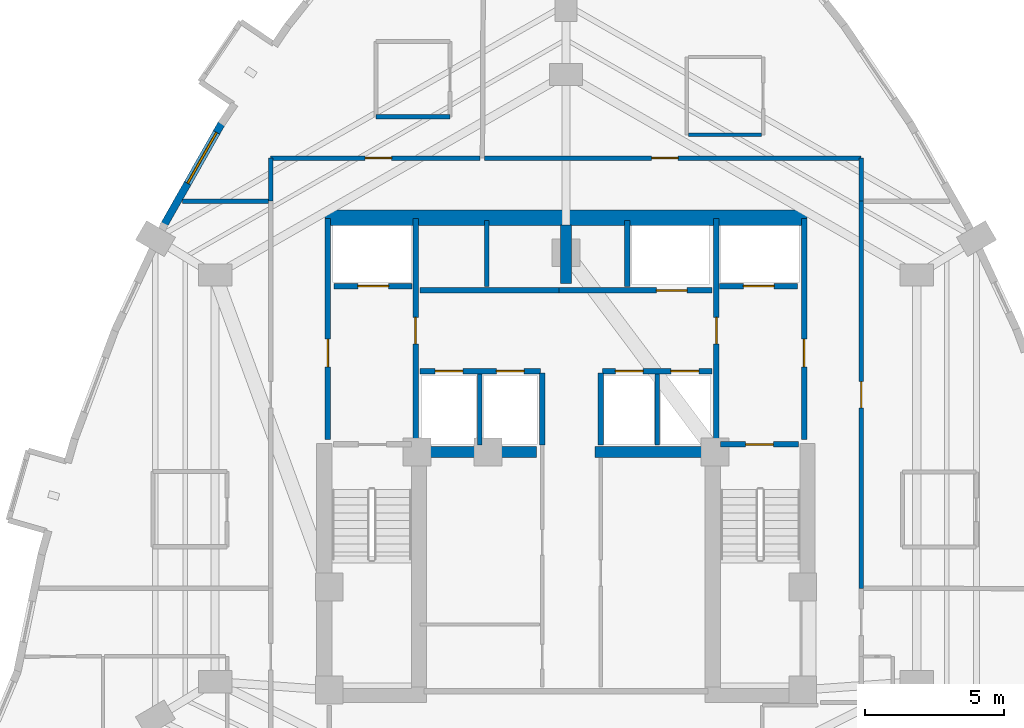
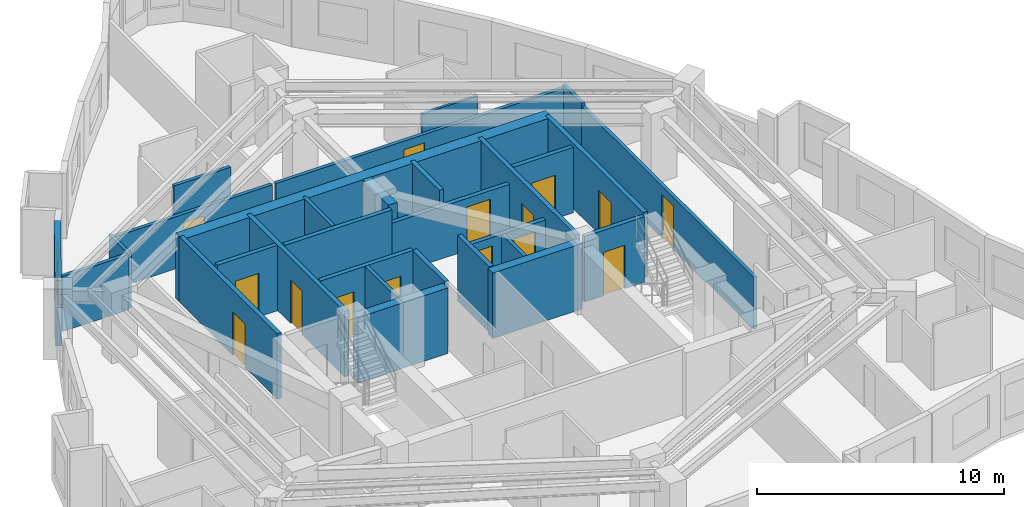
# One storey, part 5 of 9: 30 walls, 15 doors, 1 window, 16 openings.
"""IFC4 building model written with IfcOpenShell, lengths in metres."""

from ifc_helpers import new_model, si_unit, direction, frame, frame_2d, origin, place, context, subcontext, project, spatial, rectangle, extrude, material, layer, layer_set, type_object, element, fill, save


model = new_model("IFC4")

# Units and contexts
model_context = context("Model", 3, precision=1e-05, world=origin(), true_north=direction((0.0, 1.0)))
body_context = subcontext(model_context, "Body", "Model", "MODEL_VIEW")
ifc_project = project(units=[si_unit("LENGTHUNIT", "METRE"), si_unit("AREAUNIT", "SQUARE_METRE"), si_unit("VOLUMEUNIT", "CUBIC_METRE"), si_unit("PLANEANGLEUNIT", "RADIAN"), si_unit("MASSUNIT", "GRAM", prefix="KILO")], contexts=[model_context])

# Site, building, storey
site_placement = place(None, origin())
site = spatial("IfcSite", under=ifc_project, at=site_placement, CompositionType="ELEMENT")
building_placement = place(site_placement, origin())
building = spatial("IfcBuilding", under=site, at=building_placement, Name="Miruveldt Soraemaru", CompositionType="ELEMENT")
storey_placement = place(building_placement, frame((0.0, 0.0, 170.39990234375)))
storey = spatial("IfcBuildingStorey", under=building, at=storey_placement, Name="L47", CompositionType="ELEMENT", Elevation=170.39990234375)

# Walls
ifc_material_1 = material(Name="Concrete C70/85 (70 MPa)", Category="concrete")
ifc_layer_1 = layer(ifc_material_1, 0.5, Name="Concrete C70/85 (70 MPa)", Category="concrete")
ifc_layer_set_1 = layer_set([ifc_layer_1], Name="Concrete C70/85 (70 MPa)")
wall_type_1 = type_object("IfcWallType", Name="WALL-BW-500", PredefinedType="SHEAR", material=ifc_layer_set_1)
wall_1_placement = place(storey_placement, frame((44.0, 50.10009765625, 0.0), z_axis=(0.0, 0.0, 1.0), x_axis=(0.0, 1.0, 0.0)))
element("IfcWall", 1, at=wall_1_placement, inside=storey, type_object=wall_type_1, Name="L47 Core Buttress Shear Wall BN", PredefinedType="SHEAR", context=body_context, shape_type="SweptSolid", body=[
    extrude(rectangle(XDim=2.099853515625, YDim=0.39990234375, at=frame_2d((1.0498046875, 0.0))), origin(), (0.0, 0.0, 1.0), 3.235107421875),
])
for number, where, z_axis, x_axis, name in (
    (2, (38.75, 44.050048828125, 0.0), (0.0, 0.0, 1.0), (1.0, 0.0, 0.0), "L47 Core Buttress Shear Wall BW"),
    (3, (45.050048828125, 44.050048828125, 0.0), (0.0, 0.0, 1.0), (1.0, 0.0, 0.0), "L47 Core Buttress Shear Wall BE"),
):
    element("IfcWall", number, at=place(storey_placement, frame(where, z_axis=z_axis, x_axis=x_axis)), inside=storey, type_object=wall_type_1, Name=name, PredefinedType="SHEAR", context=body_context, shape_type="SweptSolid", body=[
        extrude(rectangle(XDim=4.199951171875, YDim=0.39990234375, at=frame_2d((2.10009765625, 0.0))), origin(), (0.0, 0.0, 1.0), 3.235107421875),
    ])
ifc_layer_2 = layer(ifc_material_1, 0.550048828125, Name="Concrete C70/85 (70 MPa)", Category="concrete")
ifc_layer_set_2 = layer_set([ifc_layer_2], Name="Concrete C70/85 (70 MPa)")
wall_type_2 = type_object("IfcWallType", Name="WALL-CW-550", PredefinedType="SHEAR", material=ifc_layer_set_2)
wall_2_placement = place(storey_placement, frame((35.35009765625, 52.449951171875, 0.0), z_axis=(0.0, 0.0, 1.0), x_axis=(1.0, 0.0, 0.0)))
element("IfcWall", 4, at=wall_2_placement, inside=storey, type_object=wall_type_2, Name="L47 Central Core Shear Wall N", PredefinedType="SHEAR", context=body_context, shape_type="SweptSolid", body=[
    extrude(rectangle(XDim=17.2998046875, YDim=0.550048828125, at=frame_2d((8.64990234375, 0.0))), origin(), (0.0, 0.0, 1.0), 3.235107421875),
])

# Wall, opening, window
ifc_material_2 = material(Name="Precast concrete C45/55 (45 MPa)", Category="concrete")
ifc_layer_3 = layer(ifc_material_2, 0.27001953125, Name="Precast concrete C45/55 (45 MPa)", Category="concrete")
ifc_layer_set_3 = layer_set([ifc_layer_3], Name="Precast concrete C45/55 (45 MPa)")
wall_type_3 = type_object("IfcWallType", Name="WALL-EXT-PC270", PredefinedType="SOLIDWALL", material=ifc_layer_set_3)
wall_3_placement = place(storey_placement, frame((31.657470703125, 55.87841796875, 0.0), z_axis=(0.0, 0.0, 1.0), x_axis=(-0.493382289932, -0.869812575203, 0.0)))
wall_3 = element("IfcWall", 5, at=wall_3_placement, inside=storey, type_object=wall_type_3, Name="L47 Precast Concrete Facade Wall 10", PredefinedType="SOLIDWALL", context=body_context, shape_type="SweptSolid", body=[
    extrude(rectangle(XDim=4.248046875, YDim=0.27001953125, at=frame_2d((2.1240234375, 0.0))), origin(), (0.0, 0.0, 1.0), 3.235107421875),
])
opening_1_placement = place(wall_3_placement, frame((0.4130859375, 0.0, 0.800048828125)))
opening_1 = element("IfcOpeningElement", 6, at=opening_1_placement, cuts=wall_3, Name="Opening WN-1", PredefinedType="OPENING", context=body_context, shape_type="SweptSolid", body=[
    extrude(rectangle(XDim=2.10009765625, YDim=1.699951171875, at=frame_2d((1.050048828125, 0.85009765625))), frame((0.0, 0.14501953125, 0.0), z_axis=(0.0, -1.0, 0.0), x_axis=(1.0, 0.0, 0.0)), (0.0, 0.0, 1.0), 0.2900390625),
])
ifc_material_3 = material(Name="Triple low-e insulated glazing", Category="glass")
window_type = type_object("IfcWindowType", Name="WIN-PUNCH-2100x1700", PartitioningType="SINGLE_PANEL", PredefinedType="WINDOW", material=ifc_material_3)
window_placement = place(opening_1_placement, origin())
window = element("IfcWindow", 7, at=window_placement, inside=storey, type_object=window_type, Name="L47 Punched Triple-Glazed Window 10.1", OverallHeight=1.699951171875, OverallWidth=2.10009765625, PartitioningType="SINGLE_PANEL", PredefinedType="WINDOW", context=body_context, shape_type="SweptSolid", body=[
    extrude(rectangle(XDim=2.10009765625, YDim=1.699951171875, at=frame_2d((1.050048828125, 0.85009765625))), frame((0.0, 0.030029296875, 0.0), z_axis=(0.0, -1.0, 0.0), x_axis=(1.0, 0.0, 0.0)), (0.0, 0.0, 1.0), 0.06005859375),
])
fill(opening_1, window)

# Walls
ifc_material_4 = material(Name="Gypsum plasterboard lining", Category="gypsum")
ifc_layer_4 = layer(ifc_material_4, 0.1201171875, Name="Gypsum plasterboard lining", Category="gypsum")
ifc_layer_set_4 = layer_set([ifc_layer_4], Name="Gypsum plasterboard lining")
wall_type_4 = type_object("IfcWallType", Name="WALL-INT-P120", PredefinedType="PARTITIONING", material=ifc_layer_set_4)
wall_4_placement = place(storey_placement, frame((48.39111328125, 55.429931640625, 0.0), z_axis=(0.0, 0.0, 1.0), x_axis=(1.0, 0.0, 0.0)))
element("IfcWall", 8, at=wall_4_placement, inside=storey, type_object=wall_type_4, Name="L47 Partition Wall 24", PredefinedType="PARTITIONING", context=body_context, shape_type="SweptSolid", body=[
    extrude(rectangle(XDim=2.6298828125, YDim=0.1201171875, at=frame_2d((1.31494140625, 0.0))), origin(), (0.0, 0.0, 1.0), 2.923095703125),
])
ifc_layer_5 = layer(ifc_material_4, 0.14990234375, Name="Gypsum plasterboard lining", Category="gypsum")
ifc_layer_set_5 = layer_set([ifc_layer_5], Name="Gypsum plasterboard lining")
wall_type_5 = type_object("IfcWallType", Name="WALL-INT-PLUMB", PredefinedType="PLUMBINGWALL", material=ifc_layer_set_5)
wall_5_placement = place(storey_placement, frame((37.18408203125, 56.080078125, 0.0), z_axis=(0.0, 0.0, 1.0), x_axis=(1.0, 0.0, 0.0)))
element("IfcWall", 9, at=wall_5_placement, inside=storey, type_object=wall_type_5, Name="L47 Partition Wall 14", PredefinedType="PLUMBINGWALL", context=body_context, shape_type="SweptSolid", body=[
    extrude(rectangle(XDim=2.64990234375, YDim=0.14990234375, at=frame_2d((1.324951171875, 0.0))), origin(), (0.0, 0.0, 1.0), 2.923095703125),
])

# Wall, opening, door
ifc_material_5 = material(Name="Concrete C40/50 (40 MPa)", Category="concrete")
ifc_layer_6 = layer(ifc_material_5, 0.159912109375, Name="Concrete C40/50 (40 MPa)", Category="concrete")
ifc_layer_set_6 = layer_set([ifc_layer_6], Name="Concrete C40/50 (40 MPa)")
wall_type_6 = type_object("IfcWallType", Name="WALL-INT-RC160", PredefinedType="SOLIDWALL", material=ifc_layer_set_6)
wall_6_placement = place(storey_placement, frame((54.60009765625, 39.15087890625, 0.0), z_axis=(0.0, 0.0, 1.0), x_axis=(0.0, 1.0, 0.0)))
wall_6 = element("IfcWall", 10, at=wall_6_placement, inside=storey, type_object=wall_type_6, Name="L47 Partition Wall 12", PredefinedType="SOLIDWALL", context=body_context, shape_type="SweptSolid", body=[
    extrude(rectangle(XDim=13.899169921875, YDim=0.159912109375, at=frame_2d((6.94970703125, 0.0))), origin(), (0.0, 0.0, 1.0), 2.572998046875),
])
opening_2_placement = place(wall_6_placement, frame((6.47412109375, 0.0, 0.0)))
opening_2 = element("IfcOpeningElement", 11, at=opening_2_placement, cuts=wall_6, Name="Opening FD2", PredefinedType="OPENING", context=body_context, shape_type="SweptSolid", body=[
    extrude(rectangle(XDim=0.949951171875, YDim=2.14990234375, at=frame_2d((0.47509765625, 1.074951171875))), frame((0.0, 0.08984375, 0.0), z_axis=(0.0, -1.0, 0.0), x_axis=(1.0, 0.0, 0.0)), (0.0, 0.0, 1.0), 0.179931640625),
])
ifc_material_6 = material(Name="Anodised aluminium EN AW-6063 T6", Category="aluminium")
door_type_1 = type_object("IfcDoorType", Name="DOOR-FD2-950", OperationType="NOTDEFINED", PredefinedType="DOOR", material=ifc_material_6)
door_1_placement = place(opening_2_placement, origin())
door_1 = element("IfcDoor", 12, at=door_1_placement, inside=storey, type_object=door_type_1, Name="L47 Unit CL06 Entrance Fire Door", OperationType="SINGLE_SWING_RIGHT", OverallHeight=2.14990234375, OverallWidth=0.949951171875, PredefinedType="DOOR", context=body_context, shape_type="SweptSolid", body=[
    extrude(rectangle(XDim=0.949951171875, YDim=2.14990234375, at=frame_2d((0.47509765625, 1.074951171875))), frame((0.0, 0.02490234375, 0.0), z_axis=(0.0, -1.0, 0.0), x_axis=(1.0, 0.0, 0.0)), (0.0, 0.0, 1.0), 0.050048828125),
])
fill(opening_2, door_1)

wall_7_placement = place(storey_placement, frame((54.60009765625, 54.60009765625, 0.0), z_axis=(0.0, 0.0, 1.0), x_axis=(-1.0, 0.0, 0.0)))
wall_7 = element("IfcWall", 13, at=wall_7_placement, inside=storey, type_object=wall_type_6, Name="L47 Partition Wall 4", PredefinedType="SOLIDWALL", context=body_context, shape_type="SweptSolid", body=[
    extrude(rectangle(XDim=13.51708984375, YDim=0.159912109375, at=frame_2d((6.758544921875, 0.0))), origin(), (0.0, 0.0, 1.0), 2.572998046875),
])
opening_3_placement = place(wall_7_placement, frame((6.573974609375, 0.0, 0.0)))
opening_3 = element("IfcOpeningElement", 14, at=opening_3_placement, cuts=wall_7, Name="Opening FD2", PredefinedType="OPENING", context=body_context, shape_type="SweptSolid", body=[
    extrude(rectangle(XDim=0.949951171875, YDim=2.14990234375, at=frame_2d((0.47509765625, 1.074951171875))), frame((0.0, 0.08984375, 0.0), z_axis=(0.0, -1.0, 0.0), x_axis=(1.0, 0.0, 0.0)), (0.0, 0.0, 1.0), 0.179931640625),
])
door_2_placement = place(opening_3_placement, origin())
door_2 = element("IfcDoor", 15, at=door_2_placement, inside=storey, type_object=door_type_1, Name="L47 Unit CL02 Entrance Fire Door", OperationType="SINGLE_SWING_RIGHT", OverallHeight=2.14990234375, OverallWidth=0.949951171875, PredefinedType="DOOR", context=body_context, shape_type="SweptSolid", body=[
    extrude(rectangle(XDim=0.949951171875, YDim=2.14990234375, at=frame_2d((0.47509765625, 1.074951171875))), frame((0.0, 0.02490234375, 0.0), z_axis=(0.0, -1.0, 0.0), x_axis=(1.0, 0.0, 0.0)), (0.0, 0.0, 1.0), 0.050048828125),
])
fill(opening_3, door_2)

wall_8_placement = place(storey_placement, frame((40.9169921875, 54.60009765625, 0.0), z_axis=(0.0, 0.0, 1.0), x_axis=(-1.0, 0.0, 0.0)))
wall_8 = element("IfcWall", 16, at=wall_8_placement, inside=storey, type_object=wall_type_6, Name="L47 Partition Wall 1", PredefinedType="SOLIDWALL", context=body_context, shape_type="SweptSolid", body=[
    extrude(rectangle(XDim=7.51708984375, YDim=0.159912109375, at=frame_2d((3.758544921875, 0.0))), origin(), (0.0, 0.0, 1.0), 2.572998046875),
])
opening_4_placement = place(wall_8_placement, frame((3.174072265625, 0.0, 0.0)))
opening_4 = element("IfcOpeningElement", 17, at=opening_4_placement, cuts=wall_8, Name="Opening FD2", PredefinedType="OPENING", context=body_context, shape_type="SweptSolid", body=[
    extrude(rectangle(XDim=0.949951171875, YDim=2.14990234375, at=frame_2d((0.47509765625, 1.074951171875))), frame((0.0, 0.08984375, 0.0), z_axis=(0.0, -1.0, 0.0), x_axis=(1.0, 0.0, 0.0)), (0.0, 0.0, 1.0), 0.179931640625),
])
door_3_placement = place(opening_4_placement, origin())
door_3 = element("IfcDoor", 18, at=door_3_placement, inside=storey, type_object=door_type_1, Name="L47 Unit CL01 Entrance Fire Door", OperationType="SINGLE_SWING_RIGHT", OverallHeight=2.14990234375, OverallWidth=0.949951171875, PredefinedType="DOOR", context=body_context, shape_type="SweptSolid", body=[
    extrude(rectangle(XDim=0.949951171875, YDim=2.14990234375, at=frame_2d((0.47509765625, 1.074951171875))), frame((0.0, 0.02490234375, 0.0), z_axis=(0.0, -1.0, 0.0), x_axis=(1.0, 0.0, 0.0)), (0.0, 0.0, 1.0), 0.050048828125),
])
fill(opening_4, door_3)

# Walls
wall_9_placement = place(storey_placement, frame((30.22607421875, 53.050048828125, 0.0), z_axis=(0.0, 0.0, 1.0), x_axis=(1.0, 0.0, 0.0)))
element("IfcWall", 19, at=wall_9_placement, inside=storey, type_object=wall_type_6, Name="L47 Partition Wall 16", PredefinedType="SOLIDWALL", context=body_context, shape_type="SweptSolid", body=[
    extrude(rectangle(XDim=3.093994140625, YDim=0.159912109375, at=frame_2d((1.546875, 0.0))), origin(), (0.0, 0.0, 1.0), 2.72314453125),
])
wall_10_placement = place(storey_placement, frame((40.89990234375, 44.300048828125, 0.0), z_axis=(0.0, 0.0, 1.0), x_axis=(0.0, 1.0, 0.0)))
element("IfcWall", 20, at=wall_10_placement, inside=storey, type_object=wall_type_6, Name="L47 Core Compartment Wall PLM-DW", PredefinedType="SOLIDWALL", context=body_context, shape_type="SweptSolid", body=[
    extrude(rectangle(XDim=2.550048828125, YDim=0.159912109375, at=frame_2d((1.27490234375, 0.0))), origin(), (0.0, 0.0, 1.0), 3.235107421875),
])
wall_11_placement = place(storey_placement, frame((47.280029296875, 44.300048828125, 0.0), z_axis=(0.0, 0.0, 1.0), x_axis=(0.0, 1.0, 0.0)))
element("IfcWall", 21, at=wall_11_placement, inside=storey, type_object=wall_type_6, Name="L47 Core Compartment Wall PLM-DE", PredefinedType="SOLIDWALL", context=body_context, shape_type="SweptSolid", body=[
    extrude(rectangle(XDim=2.550048828125, YDim=0.159912109375, at=frame_2d((1.27490234375, 0.0))), origin(), (0.0, 0.0, 1.0), 2.572998046875),
])
wall_12_placement = place(storey_placement, frame((41.14990234375, 49.97998046875, 0.0), z_axis=(0.0, 0.0, 1.0), x_axis=(0.0, 1.0, 0.0)))
element("IfcWall", 22, at=wall_12_placement, inside=storey, type_object=wall_type_6, Name="L47 Core Compartment Wall PLH-DIV1", PredefinedType="SOLIDWALL", context=body_context, shape_type="SweptSolid", body=[
    extrude(rectangle(XDim=2.3701171875, YDim=0.159912109375, at=frame_2d((1.18505859375, 0.0))), origin(), (0.0, 0.0, 1.0), 3.235107421875),
])
for number, where, z_axis, x_axis, name in (
    (23, (33.39990234375, 54.60009765625, 0.0), (0.0, 0.0, 1.0), (0.0, -1.0, 0.0), "L47 Partition Wall 2"),
    (24, (54.60009765625, 53.052978515625, 0.0), (0.0, 0.0, 1.0), (0.0, 1.0, 0.0), "L47 Partition Wall 3"),
):
    element("IfcWall", number, at=place(storey_placement, frame(where, z_axis=z_axis, x_axis=x_axis)), inside=storey, type_object=wall_type_6, Name=name, PredefinedType="SOLIDWALL", context=body_context, shape_type="SweptSolid", body=[
        extrude(rectangle(XDim=1.547119140625, YDim=0.159912109375, at=frame_2d((0.7734375, 0.0))), origin(), (0.0, 0.0, 1.0), 2.72314453125),
    ])

# Wall, opening, door
ifc_layer_7 = layer(ifc_material_5, 0.199951171875, Name="Concrete C40/50 (40 MPa)", Category="concrete")
ifc_layer_set_7 = layer_set([ifc_layer_7], Name="Concrete C40/50 (40 MPa)")
wall_type_7 = type_object("IfcWallType", Name="WALL-INT-RC200", PredefinedType="SOLIDWALL", material=ifc_layer_set_7)
wall_13_placement = place(storey_placement, frame((35.449951171875, 44.5, 0.0), z_axis=(0.0, 0.0, 1.0), x_axis=(0.0, 1.0, 0.0)))
wall_13 = element("IfcWall", 25, at=wall_13_placement, inside=storey, type_object=wall_type_7, Name="L47 Core Compartment Wall FFW-OUT", PredefinedType="SOLIDWALL", context=body_context, shape_type="SweptSolid", body=[
    extrude(rectangle(XDim=7.919921875, YDim=0.199951171875, at=frame_2d((3.9599609375, 0.0))), origin(), (0.0, 0.0, 1.0), 3.235107421875),
])
opening_5_placement = place(wall_13_placement, frame((2.60009765625, 0.0, 0.0)))
opening_5 = element("IfcOpeningElement", 26, at=opening_5_placement, cuts=wall_13, Name="Opening FD1", PredefinedType="OPENING", context=body_context, shape_type="SweptSolid", body=[
    extrude(rectangle(XDim=1.0, YDim=2.14990234375, at=frame_2d((0.5, 1.074951171875))), frame((0.0, 0.10986328125, 0.0), z_axis=(0.0, -1.0, 0.0), x_axis=(1.0, 0.0, 0.0)), (0.0, 0.0, 1.0), 0.219970703125),
])
door_type_2 = type_object("IfcDoorType", Name="DOOR-FD1-1000", OperationType="NOTDEFINED", PredefinedType="DOOR", material=ifc_material_6)
door_4_placement = place(opening_5_placement, origin())
door_4 = element("IfcDoor", 27, at=door_4_placement, inside=storey, type_object=door_type_2, Name="L47 West Firefighting Lobby Exit Door", OperationType="SINGLE_SWING_LEFT", OverallHeight=2.14990234375, OverallWidth=1.0, PredefinedType="DOOR", context=body_context, shape_type="SweptSolid", body=[
    extrude(rectangle(XDim=1.0, YDim=2.14990234375, at=frame_2d((0.5, 1.074951171875))), frame((0.0, 0.02490234375, 0.0), z_axis=(0.0, -1.0, 0.0), x_axis=(1.0, 0.0, 0.0)), (0.0, 0.0, 1.0), 0.050048828125),
])
fill(opening_5, door_4)

wall_14_placement = place(storey_placement, frame((52.550048828125, 44.5, 0.0), z_axis=(0.0, 0.0, 1.0), x_axis=(0.0, 1.0, 0.0)))
wall_14 = element("IfcWall", 28, at=wall_14_placement, inside=storey, type_object=wall_type_7, Name="L47 Core Compartment Wall FFE-OUT", PredefinedType="SOLIDWALL", context=body_context, shape_type="SweptSolid", body=[
    extrude(rectangle(XDim=7.919921875, YDim=0.199951171875, at=frame_2d((3.9599609375, 0.0))), origin(), (0.0, 0.0, 1.0), 3.235107421875),
])
opening_6_placement = place(wall_14_placement, frame((2.60009765625, 0.0, 0.0)))
opening_6 = element("IfcOpeningElement", 29, at=opening_6_placement, cuts=wall_14, Name="Opening FD1", PredefinedType="OPENING", context=body_context, shape_type="SweptSolid", body=[
    extrude(rectangle(XDim=1.0, YDim=2.14990234375, at=frame_2d((0.5, 1.074951171875))), frame((0.0, 0.10986328125, 0.0), z_axis=(0.0, -1.0, 0.0), x_axis=(1.0, 0.0, 0.0)), (0.0, 0.0, 1.0), 0.219970703125),
])
door_5_placement = place(opening_6_placement, frame((1.0, 0.0, 0.0), z_axis=(0.0, 0.0, 1.0), x_axis=(-1.0, 0.0, 0.0)))
door_5 = element("IfcDoor", 30, at=door_5_placement, inside=storey, type_object=door_type_2, Name="L47 East Firefighting Lobby Exit Door", OperationType="SINGLE_SWING_RIGHT", OverallHeight=2.14990234375, OverallWidth=1.0, PredefinedType="DOOR", context=body_context, shape_type="SweptSolid", body=[
    extrude(rectangle(XDim=1.0, YDim=2.14990234375, at=frame_2d((0.5, 1.074951171875))), frame((0.0, 0.02490234375, 0.0), z_axis=(0.0, -1.0, 0.0), x_axis=(1.0, 0.0, 0.0)), (0.0, 0.0, 1.0), 0.050048828125),
])
fill(opening_6, door_5)

wall_15_placement = place(storey_placement, frame((38.60009765625, 44.5, 0.0), z_axis=(0.0, 0.0, 1.0), x_axis=(0.0, 1.0, 0.0)))
wall_15 = element("IfcWall", 31, at=wall_15_placement, inside=storey, type_object=wall_type_7, Name="L47 Core Compartment Wall FFW-IN", PredefinedType="SOLIDWALL", context=body_context, shape_type="SweptSolid", body=[
    extrude(rectangle(XDim=7.919921875, YDim=0.199951171875, at=frame_2d((3.9599609375, 0.0))), origin(), (0.0, 0.0, 1.0), 3.235107421875),
])
opening_7_placement = place(wall_15_placement, frame((3.425048828125, 0.0, 0.0)))
opening_7 = element("IfcOpeningElement", 32, at=opening_7_placement, cuts=wall_15, Name="Opening FD2", PredefinedType="OPENING", context=body_context, shape_type="SweptSolid", body=[
    extrude(rectangle(XDim=0.949951171875, YDim=2.14990234375, at=frame_2d((0.47509765625, 1.074951171875))), frame((0.0, 0.10986328125, 0.0), z_axis=(0.0, -1.0, 0.0), x_axis=(1.0, 0.0, 0.0)), (0.0, 0.0, 1.0), 0.219970703125),
])
door_6_placement = place(opening_7_placement, frame((0.949951171875, 0.0, 0.0), z_axis=(0.0, 0.0, 1.0), x_axis=(-1.0, 0.0, 0.0)))
door_6 = element("IfcDoor", 33, at=door_6_placement, inside=storey, type_object=door_type_1, Name="L47 Lift Lobby to West Fire Lobby Door", OperationType="SINGLE_SWING_RIGHT", OverallHeight=2.14990234375, OverallWidth=0.949951171875, PredefinedType="DOOR", context=body_context, shape_type="SweptSolid", body=[
    extrude(rectangle(XDim=0.949951171875, YDim=2.14990234375, at=frame_2d((0.47509765625, 1.074951171875))), frame((0.0, 0.02490234375, 0.0), z_axis=(0.0, -1.0, 0.0), x_axis=(1.0, 0.0, 0.0)), (0.0, 0.0, 1.0), 0.050048828125),
])
fill(opening_7, door_6)

wall_16_placement = place(storey_placement, frame((49.39990234375, 44.5, 0.0), z_axis=(0.0, 0.0, 1.0), x_axis=(0.0, 1.0, 0.0)))
wall_16 = element("IfcWall", 34, at=wall_16_placement, inside=storey, type_object=wall_type_7, Name="L47 Core Compartment Wall FFE-IN", PredefinedType="SOLIDWALL", context=body_context, shape_type="SweptSolid", body=[
    extrude(rectangle(XDim=7.919921875, YDim=0.199951171875, at=frame_2d((3.9599609375, 0.0))), origin(), (0.0, 0.0, 1.0), 3.235107421875),
])
opening_8_placement = place(wall_16_placement, frame((3.425048828125, 0.0, 0.0)))
opening_8 = element("IfcOpeningElement", 35, at=opening_8_placement, cuts=wall_16, Name="Opening FD2", PredefinedType="OPENING", context=body_context, shape_type="SweptSolid", body=[
    extrude(rectangle(XDim=0.949951171875, YDim=2.14990234375, at=frame_2d((0.47509765625, 1.074951171875))), frame((0.0, 0.10986328125, 0.0), z_axis=(0.0, -1.0, 0.0), x_axis=(1.0, 0.0, 0.0)), (0.0, 0.0, 1.0), 0.219970703125),
])
door_7_placement = place(opening_8_placement, origin())
door_7 = element("IfcDoor", 36, at=door_7_placement, inside=storey, type_object=door_type_1, Name="L47 Lift Lobby to East Fire Lobby Door", OperationType="SINGLE_SWING_LEFT", OverallHeight=2.14990234375, OverallWidth=0.949951171875, PredefinedType="DOOR", context=body_context, shape_type="SweptSolid", body=[
    extrude(rectangle(XDim=0.949951171875, YDim=2.14990234375, at=frame_2d((0.47509765625, 1.074951171875))), frame((0.0, 0.02490234375, 0.0), z_axis=(0.0, -1.0, 0.0), x_axis=(1.0, 0.0, 0.0)), (0.0, 0.0, 1.0), 0.050048828125),
])
fill(opening_8, door_7)

wall_17_placement = place(storey_placement, frame((43.75, 49.85009765625, 0.0), z_axis=(0.0, 0.0, 1.0), x_axis=(1.0, 0.0, 0.0)))
wall_17 = element("IfcWall", 37, at=wall_17_placement, inside=storey, type_object=wall_type_7, Name="L47 Core Compartment Wall ROWA-SE", PredefinedType="SOLIDWALL", context=body_context, shape_type="SweptSolid", body=[
    extrude(rectangle(XDim=5.5, YDim=0.199951171875, at=frame_2d((2.75, 0.0))), origin(), (0.0, 0.0, 1.0), 2.572998046875),
])
opening_9_placement = place(wall_17_placement, frame((3.5, 0.0, 0.0)))
opening_9 = element("IfcOpeningElement", 38, at=opening_9_placement, cuts=wall_17, Name="Opening LD2", PredefinedType="OPENING", context=body_context, shape_type="SweptSolid", body=[
    extrude(rectangle(XDim=1.10009765625, YDim=2.14990234375, at=frame_2d((0.550048828125, 1.074951171875))), frame((0.0, 0.10986328125, 0.0), z_axis=(0.0, -1.0, 0.0), x_axis=(1.0, 0.0, 0.0)), (0.0, 0.0, 1.0), 0.219970703125),
])
door_type_3 = type_object("IfcDoorType", Name="DOOR-LD2-1100", OperationType="SLIDING_TO_LEFT", PredefinedType="DOOR", material=ifc_material_6)
door_8_placement = place(opening_9_placement, origin())
door_8 = element("IfcDoor", 39, at=door_8_placement, inside=storey, type_object=door_type_3, Name="L47 SL-1 Landing Door", OperationType="SLIDING_TO_LEFT", OverallHeight=2.14990234375, OverallWidth=1.10009765625, PredefinedType="DOOR", context=body_context, shape_type="SweptSolid", body=[
    extrude(rectangle(XDim=1.10009765625, YDim=2.14990234375, at=frame_2d((0.550048828125, 1.074951171875))), frame((0.0, 0.02490234375, 0.0), z_axis=(0.0, -1.0, 0.0), x_axis=(1.0, 0.0, 0.0)), (0.0, 0.0, 1.0), 0.050048828125),
])
fill(opening_9, door_8)

# Wall, openings, doors
wall_18_placement = place(storey_placement, frame((38.75, 46.949951171875, 0.0), z_axis=(0.0, 0.0, 1.0), x_axis=(1.0, 0.0, 0.0)))
wall_18 = element("IfcWall", 40, at=wall_18_placement, inside=storey, type_object=wall_type_7, Name="L47 Core Compartment Wall MBW-N", PredefinedType="SOLIDWALL", context=body_context, shape_type="SweptSolid", body=[
    extrude(rectangle(XDim=4.330078125, YDim=0.199951171875, at=frame_2d((2.1650390625, 0.0))), origin(), (0.0, 0.0, 1.0), 3.235107421875),
])
opening_10_placement = place(wall_18_placement, frame((0.550048828125, 0.0, 0.0)))
opening_10 = element("IfcOpeningElement", 41, at=opening_10_placement, cuts=wall_18, Name="Opening LD1B", PredefinedType="OPENING", context=body_context, shape_type="SweptSolid", body=[
    extrude(rectangle(XDim=1.0, YDim=2.14990234375, at=frame_2d((0.5, 1.074951171875))), frame((0.0, 0.10986328125, 0.0), z_axis=(0.0, -1.0, 0.0), x_axis=(1.0, 0.0, 0.0)), (0.0, 0.0, 1.0), 0.219970703125),
])
opening_11_placement = place(wall_18_placement, frame((2.75, 0.0, 0.0)))
opening_11 = element("IfcOpeningElement", 42, at=opening_11_placement, cuts=wall_18, Name="Opening LD1B", PredefinedType="OPENING", context=body_context, shape_type="SweptSolid", body=[
    extrude(rectangle(XDim=1.0, YDim=2.14990234375, at=frame_2d((0.5, 1.074951171875))), frame((0.0, 0.10986328125, 0.0), z_axis=(0.0, -1.0, 0.0), x_axis=(1.0, 0.0, 0.0)), (0.0, 0.0, 1.0), 0.219970703125),
])
door_type_4 = type_object("IfcDoorType", Name="DOOR-LD1-1000", OperationType="SLIDING_TO_LEFT", PredefinedType="DOOR", material=ifc_material_6)
door_9_placement = place(opening_10_placement, origin())
door_9 = element("IfcDoor", 43, at=door_9_placement, inside=storey, type_object=door_type_4, Name="L47 PL-M1 Landing Door", OperationType="SLIDING_TO_LEFT", OverallHeight=2.14990234375, OverallWidth=1.0, PredefinedType="DOOR", context=body_context, shape_type="SweptSolid", body=[
    extrude(rectangle(XDim=1.0, YDim=2.14990234375, at=frame_2d((0.5, 1.074951171875))), frame((0.0, 0.02490234375, 0.0), z_axis=(0.0, -1.0, 0.0), x_axis=(1.0, 0.0, 0.0)), (0.0, 0.0, 1.0), 0.050048828125),
])
fill(opening_10, door_9)
door_10_placement = place(opening_11_placement, origin())
door_10 = element("IfcDoor", 44, at=door_10_placement, inside=storey, type_object=door_type_4, Name="L47 PL-M2 Landing Door", OperationType="SLIDING_TO_LEFT", OverallHeight=2.14990234375, OverallWidth=1.0, PredefinedType="DOOR", context=body_context, shape_type="SweptSolid", body=[
    extrude(rectangle(XDim=1.0, YDim=2.14990234375, at=frame_2d((0.5, 1.074951171875))), frame((0.0, 0.02490234375, 0.0), z_axis=(0.0, -1.0, 0.0), x_axis=(1.0, 0.0, 0.0)), (0.0, 0.0, 1.0), 0.050048828125),
])
fill(opening_11, door_10)

wall_19_placement = place(storey_placement, frame((45.320068359375, 46.949951171875, 0.0), z_axis=(0.0, 0.0, 1.0), x_axis=(1.0, 0.0, 0.0)))
wall_19 = element("IfcWall", 45, at=wall_19_placement, inside=storey, type_object=wall_type_7, Name="L47 Core Compartment Wall MBE-N", PredefinedType="SOLIDWALL", context=body_context, shape_type="SweptSolid", body=[
    extrude(rectangle(XDim=3.929931640625, YDim=0.199951171875, at=frame_2d((1.96484375, 0.0))), origin(), (0.0, 0.0, 1.0), 2.572998046875),
])
opening_12_placement = place(wall_19_placement, frame((0.449951171875, 0.0, 0.0)))
opening_12 = element("IfcOpeningElement", 46, at=opening_12_placement, cuts=wall_19, Name="Opening LD1B", PredefinedType="OPENING", context=body_context, shape_type="SweptSolid", body=[
    extrude(rectangle(XDim=1.0, YDim=2.14990234375, at=frame_2d((0.5, 1.074951171875))), frame((0.0, 0.10986328125, 0.0), z_axis=(0.0, -1.0, 0.0), x_axis=(1.0, 0.0, 0.0)), (0.0, 0.0, 1.0), 0.219970703125),
])
opening_13_placement = place(wall_19_placement, frame((2.449951171875, 0.0, 0.0)))
opening_13 = element("IfcOpeningElement", 47, at=opening_13_placement, cuts=wall_19, Name="Opening LD1B", PredefinedType="OPENING", context=body_context, shape_type="SweptSolid", body=[
    extrude(rectangle(XDim=1.0, YDim=2.14990234375, at=frame_2d((0.5, 1.074951171875))), frame((0.0, 0.10986328125, 0.0), z_axis=(0.0, -1.0, 0.0), x_axis=(1.0, 0.0, 0.0)), (0.0, 0.0, 1.0), 0.219970703125),
])
door_11_placement = place(opening_12_placement, origin())
door_11 = element("IfcDoor", 48, at=door_11_placement, inside=storey, type_object=door_type_4, Name="L47 PL-M3 Landing Door", OperationType="SLIDING_TO_LEFT", OverallHeight=2.14990234375, OverallWidth=1.0, PredefinedType="DOOR", context=body_context, shape_type="SweptSolid", body=[
    extrude(rectangle(XDim=1.0, YDim=2.14990234375, at=frame_2d((0.5, 1.074951171875))), frame((0.0, 0.02490234375, 0.0), z_axis=(0.0, -1.0, 0.0), x_axis=(1.0, 0.0, 0.0)), (0.0, 0.0, 1.0), 0.050048828125),
])
fill(opening_12, door_11)
door_12_placement = place(opening_13_placement, origin())
door_12 = element("IfcDoor", 49, at=door_12_placement, inside=storey, type_object=door_type_4, Name="L47 PL-M4 Landing Door", OperationType="SLIDING_TO_LEFT", OverallHeight=2.14990234375, OverallWidth=1.0, PredefinedType="DOOR", context=body_context, shape_type="SweptSolid", body=[
    extrude(rectangle(XDim=1.0, YDim=2.14990234375, at=frame_2d((0.5, 1.074951171875))), frame((0.0, 0.02490234375, 0.0), z_axis=(0.0, -1.0, 0.0), x_axis=(1.0, 0.0, 0.0)), (0.0, 0.0, 1.0), 0.050048828125),
])
fill(opening_13, door_12)

# Wall, opening, door
wall_20_placement = place(storey_placement, frame((49.550048828125, 44.320068359375, 0.0), z_axis=(0.0, 0.0, 1.0), x_axis=(1.0, 0.0, 0.0)))
wall_20 = element("IfcWall", 50, at=wall_20_placement, inside=storey, type_object=wall_type_7, Name="L47 Core Compartment Wall ST2-N", PredefinedType="SOLIDWALL", context=body_context, shape_type="SweptSolid", body=[
    extrude(rectangle(XDim=2.800048828125, YDim=0.199951171875, at=frame_2d((1.39990234375, 0.0))), origin(), (0.0, 0.0, 1.0), 3.235107421875),
])
opening_14_placement = place(wall_20_placement, frame((0.89990234375, 0.0, 0.0)))
opening_14 = element("IfcOpeningElement", 51, at=opening_14_placement, cuts=wall_20, Name="Opening FD1", PredefinedType="OPENING", context=body_context, shape_type="SweptSolid", body=[
    extrude(rectangle(XDim=1.0, YDim=2.14990234375, at=frame_2d((0.5, 1.074951171875))), frame((0.0, 0.10986328125, 0.0), z_axis=(0.0, -1.0, 0.0), x_axis=(1.0, 0.0, 0.0)), (0.0, 0.0, 1.0), 0.219970703125),
])
door_13_placement = place(opening_14_placement, frame((1.0, 0.0, 0.0), z_axis=(0.0, 0.0, 1.0), x_axis=(-1.0, 0.0, 0.0)))
door_13 = element("IfcDoor", 52, at=door_13_placement, inside=storey, type_object=door_type_2, Name="L47 Stair ST-2 Fire Door", OperationType="SINGLE_SWING_RIGHT", OverallHeight=2.14990234375, OverallWidth=1.0, PredefinedType="DOOR", context=body_context, shape_type="SweptSolid", body=[
    extrude(rectangle(XDim=1.0, YDim=2.14990234375, at=frame_2d((0.5, 1.074951171875))), frame((0.0, 0.02490234375, 0.0), z_axis=(0.0, -1.0, 0.0), x_axis=(1.0, 0.0, 0.0)), (0.0, 0.0, 1.0), 0.050048828125),
])
fill(opening_14, door_13)

wall_21_placement = place(storey_placement, frame((35.679931640625, 50.0, 0.0), z_axis=(0.0, 0.0, 1.0), x_axis=(1.0, 0.0, 0.0)))
wall_21 = element("IfcWall", 53, at=wall_21_placement, inside=storey, type_object=wall_type_7, Name="L47 Core Compartment Wall FFL1-S", PredefinedType="SOLIDWALL", context=body_context, shape_type="SweptSolid", body=[
    extrude(rectangle(XDim=2.800048828125, YDim=0.199951171875, at=frame_2d((1.39990234375, 0.0))), origin(), (0.0, 0.0, 1.0), 3.235107421875),
])
opening_15_placement = place(wall_21_placement, frame((0.85009765625, 0.0, 0.0)))
opening_15 = element("IfcOpeningElement", 54, at=opening_15_placement, cuts=wall_21, Name="Opening LD2", PredefinedType="OPENING", context=body_context, shape_type="SweptSolid", body=[
    extrude(rectangle(XDim=1.10009765625, YDim=2.14990234375, at=frame_2d((0.550048828125, 1.074951171875))), frame((0.0, 0.10986328125, 0.0), z_axis=(0.0, -1.0, 0.0), x_axis=(1.0, 0.0, 0.0)), (0.0, 0.0, 1.0), 0.219970703125),
])
door_14_placement = place(opening_15_placement, origin())
door_14 = element("IfcDoor", 55, at=door_14_placement, inside=storey, type_object=door_type_3, Name="L47 FFL-1 Landing Door", OperationType="SLIDING_TO_LEFT", OverallHeight=2.14990234375, OverallWidth=1.10009765625, PredefinedType="DOOR", context=body_context, shape_type="SweptSolid", body=[
    extrude(rectangle(XDim=1.10009765625, YDim=2.14990234375, at=frame_2d((0.550048828125, 1.074951171875))), frame((0.0, 0.02490234375, 0.0), z_axis=(0.0, -1.0, 0.0), x_axis=(1.0, 0.0, 0.0)), (0.0, 0.0, 1.0), 0.050048828125),
])
fill(opening_15, door_14)

wall_22_placement = place(storey_placement, frame((49.52001953125, 50.0, 0.0), z_axis=(0.0, 0.0, 1.0), x_axis=(1.0, 0.0, 0.0)))
wall_22 = element("IfcWall", 56, at=wall_22_placement, inside=storey, type_object=wall_type_7, Name="L47 Core Compartment Wall FFL2-S", PredefinedType="SOLIDWALL", context=body_context, shape_type="SweptSolid", body=[
    extrude(rectangle(XDim=2.800048828125, YDim=0.199951171875, at=frame_2d((1.39990234375, 0.0))), origin(), (0.0, 0.0, 1.0), 3.235107421875),
])
opening_16_placement = place(wall_22_placement, frame((0.85009765625, 0.0, 0.0)))
opening_16 = element("IfcOpeningElement", 57, at=opening_16_placement, cuts=wall_22, Name="Opening LD2", PredefinedType="OPENING", context=body_context, shape_type="SweptSolid", body=[
    extrude(rectangle(XDim=1.10009765625, YDim=2.14990234375, at=frame_2d((0.550048828125, 1.074951171875))), frame((0.0, 0.10986328125, 0.0), z_axis=(0.0, -1.0, 0.0), x_axis=(1.0, 0.0, 0.0)), (0.0, 0.0, 1.0), 0.219970703125),
])
door_15_placement = place(opening_16_placement, origin())
door_15 = element("IfcDoor", 58, at=door_15_placement, inside=storey, type_object=door_type_3, Name="L47 FFL-2 Landing Door", OperationType="SLIDING_TO_LEFT", OverallHeight=2.14990234375, OverallWidth=1.10009765625, PredefinedType="DOOR", context=body_context, shape_type="SweptSolid", body=[
    extrude(rectangle(XDim=1.10009765625, YDim=2.14990234375, at=frame_2d((0.550048828125, 1.074951171875))), frame((0.0, 0.02490234375, 0.0), z_axis=(0.0, -1.0, 0.0), x_axis=(1.0, 0.0, 0.0)), (0.0, 0.0, 1.0), 0.050048828125),
])
fill(opening_16, door_15)

# Walls
wall_23_placement = place(storey_placement, frame((38.75, 49.85009765625, 0.0), z_axis=(0.0, 0.0, 1.0), x_axis=(1.0, 0.0, 0.0)))
element("IfcWall", 59, at=wall_23_placement, inside=storey, type_object=wall_type_7, Name="L47 Core Compartment Wall ROWA-SW", PredefinedType="SOLIDWALL", context=body_context, shape_type="SweptSolid", body=[
    extrude(rectangle(XDim=5.0, YDim=0.199951171875, at=frame_2d((2.5, 0.0))), origin(), (0.0, 0.0, 1.0), 3.235107421875),
])
for number, where, z_axis, x_axis, name in (
    (60, (43.14990234375, 44.300048828125, 0.0), (0.0, 0.0, 1.0), (0.0, 1.0, 0.0), "L47 Core Compartment Wall SP-WB"),
    (61, (45.25, 44.300048828125, 0.0), (0.0, 0.0, 1.0), (0.0, 1.0, 0.0), "L47 Core Compartment Wall SP-EB"),
):
    element("IfcWall", number, at=place(storey_placement, frame(where, z_axis=z_axis, x_axis=x_axis)), inside=storey, type_object=wall_type_7, Name=name, PredefinedType="SOLIDWALL", context=body_context, shape_type="SweptSolid", body=[
        extrude(rectangle(XDim=2.579833984375, YDim=0.199951171875, at=frame_2d((1.2900390625, 0.0))), origin(), (0.0, 0.0, 1.0), 3.235107421875),
    ])
wall_24_placement = place(storey_placement, frame((46.199951171875, 49.97998046875, 0.0), z_axis=(0.0, 0.0, 1.0), x_axis=(0.0, 1.0, 0.0)))
element("IfcWall", 62, at=wall_24_placement, inside=storey, type_object=wall_type_7, Name="L47 Core Compartment Wall PLH-SL-DIV", PredefinedType="SOLIDWALL", context=body_context, shape_type="SweptSolid", body=[
    extrude(rectangle(XDim=2.3701171875, YDim=0.199951171875, at=frame_2d((1.18505859375, 0.0))), origin(), (0.0, 0.0, 1.0), 3.235107421875),
])

save(model, "model.ifc")
